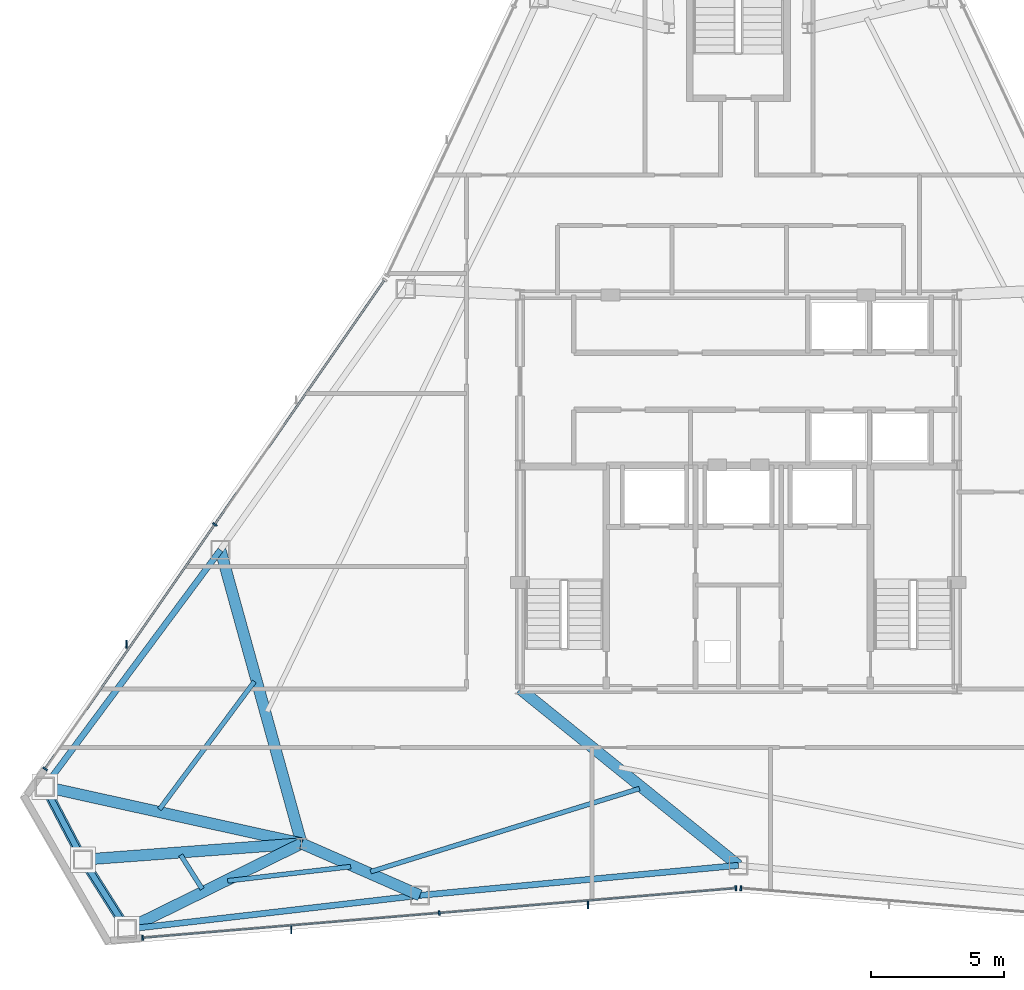
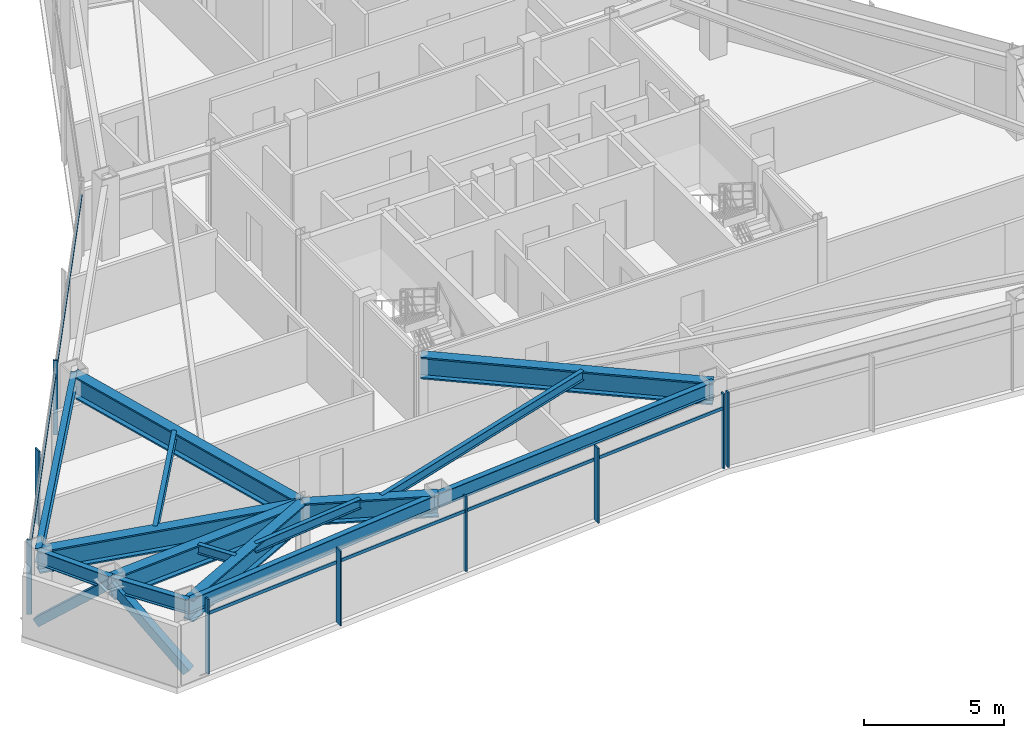
# One storey, part 3 of 12: 15 beams, 13 members, 3 elements without a shape of their own.
"""IFC4 building model written with IfcOpenShell, lengths in metres."""

import ifcopenshell
import ifcopenshell.guid

model = None  # the IFC model being written
_history = None  # IfcOwnerHistory: only IFC2X3 demands one
_inside = {}  # id of a spatial element -> (the spatial element, [elements in it])
_under = {}  # id of a project, library or spatial element -> (it, [spatial elements below it])
_declared = {}  # id of a project -> (the project, [libraries it declares])
_typed = {}  # id of a type object -> (the type object, [elements of that type])
_made_of = {}  # id of a material, layer set ... -> (it, [elements and type objects made of it])


def new_model(schema):
    """Start an empty IFC model of exactly this schema.

    Asked for "IFC4X3", IfcOpenShell would pick the latest addendum, in which some entities
    have other attributes; the version numbers below select the first issue.
    IFC2X3 requires an IfcOwnerHistory on every rooted entity: one is made here for all.
    """
    global model, _history
    if schema == "IFC4X3":
        model = ifcopenshell.file(schema_version=(4, 3, 0, 0))
    else:
        model = ifcopenshell.file(schema=schema)
    _inside.clear()
    _under.clear()
    _declared.clear()
    _typed.clear()
    _made_of.clear()
    _history = None
    if model.schema == "IFC2X3":
        org = make("IfcOrganization", Name="unknown")
        user = make(
            "IfcPersonAndOrganization",
            ThePerson=make("IfcPerson", FamilyName="unknown"),
            TheOrganization=org,
        )
        app = make(
            "IfcApplication",
            ApplicationDeveloper=org,
            Version="unknown",
            ApplicationFullName="unknown",
            ApplicationIdentifier="unknown",
        )
        _history = make(
            "IfcOwnerHistory",
            OwningUser=user,
            OwningApplication=app,
            ChangeAction="ADDED",
            CreationDate=0,
        )
    return model


def make(cls, **values):
    """One entity of the class cls with the attributes given. An attribute that is None is left unset."""
    return model.create_entity(
        cls, **{name: value for name, value in values.items() if value is not None}
    )


def rooted(cls, **values):
    """An entity with a GlobalId (a new one), such as an element, a storey or a relation."""
    return make(cls, GlobalId=ifcopenshell.guid.new(), OwnerHistory=_history, **values)


def si_unit(unit_type, name, prefix=None):
    """IfcSIUnit, for example si_unit("LENGTHUNIT", "METRE", prefix="MILLI")."""
    return make("IfcSIUnit", UnitType=unit_type, Prefix=prefix, Name=name)


def assignment(units):
    """IfcUnitAssignment: the units of a project."""
    return None if units is None else make("IfcUnitAssignment", Units=units)


def point(xyz):
    """IfcCartesianPoint."""
    return None if xyz is None else make("IfcCartesianPoint", Coordinates=xyz)


def direction(xyz):
    """IfcDirection."""
    return None if xyz is None else make("IfcDirection", DirectionRatios=xyz)


def frame(location, z_axis=None, x_axis=None):
    """IfcAxis2Placement3D, a coordinate frame: its origin and axes. An axis left out is left unset."""
    return make(
        "IfcAxis2Placement3D",
        Location=point(location),
        Axis=direction(z_axis),
        RefDirection=direction(x_axis),
    )


def frame_2d(location, x_axis=None):
    """IfcAxis2Placement2D, a coordinate frame in the plane: its origin and x axis."""
    return make(
        "IfcAxis2Placement2D", Location=point(location), RefDirection=direction(x_axis)
    )


def origin():
    """The frame at (0, 0, 0) with its axes left unset."""
    return frame((0.0, 0.0, 0.0))


def origin_2d():
    """The frame at (0, 0) in the plane with its x axis left unset."""
    return frame_2d((0.0, 0.0))


def place(relative_to, where):
    """IfcLocalPlacement: puts the frame where relative to a parent placement (None: the world)."""
    return make(
        "IfcLocalPlacement", PlacementRelTo=relative_to, RelativePlacement=where
    )


def context(
    kind, dimensions, precision=None, world=None, true_north=None, identifier=None
):
    """IfcGeometricRepresentationContext, for example the 3D "Model" context."""
    return make(
        "IfcGeometricRepresentationContext",
        ContextIdentifier=identifier,
        ContextType=kind,
        CoordinateSpaceDimension=dimensions,
        Precision=precision,
        WorldCoordinateSystem=world,
        TrueNorth=true_north,
    )


def subcontext(parent, identifier, kind, view, scale=None):
    """IfcGeometricRepresentationSubContext, for example "Body" below "Model"."""
    return make(
        "IfcGeometricRepresentationSubContext",
        ContextIdentifier=identifier,
        ContextType=kind,
        ParentContext=parent,
        TargetScale=scale,
        TargetView=view,
    )


def project(units=None, contexts=None):
    """IfcProject with its units and contexts."""
    return rooted(
        "IfcProject",
        Name="project",
        RepresentationContexts=contexts,
        UnitsInContext=assignment(units),
    )


def spatial(cls, under=None, at=None, **own):
    """A site, building, storey or space (cls), placed at a placement, below another one or the project."""
    s = rooted(cls, ObjectPlacement=at, **own)
    if under is not None:
        _under.setdefault(under.id(), (under, []))[1].append(s)
    return s


def profile(cls, at=None, kind="AREA", **sizes):
    """A parametric profile (cls). Its sizes go by their IFC names, for example OverallWidth=200.0."""
    return make(cls, ProfileType=kind, Position=at, **sizes)


def rectangle(**sizes):
    """IfcRectangleProfileDef."""
    return profile("IfcRectangleProfileDef", **sizes)


def hollow_rectangle(**sizes):
    """IfcRectangleHollowProfileDef."""
    return profile("IfcRectangleHollowProfileDef", **sizes)


def i_section(**sizes):
    """IfcIShapeProfileDef."""
    return profile("IfcIShapeProfileDef", **sizes)


def extrude(swept, where, along, depth):
    """IfcExtrudedAreaSolid: the profile swept, set in the frame where, extruded along a direction by depth."""
    return make(
        "IfcExtrudedAreaSolid",
        SweptArea=swept,
        Position=where,
        ExtrudedDirection=direction(along),
        Depth=depth,
    )


def shape(context_of_items, identifier, shape_type, items):
    """IfcShapeRepresentation: the items that make up one representation, for example the "Body"."""
    return make(
        "IfcShapeRepresentation",
        ContextOfItems=context_of_items,
        RepresentationIdentifier=identifier,
        RepresentationType=shape_type,
        Items=items,
    )


def source(mapping_origin, context_of_items, identifier, shape_type, items):
    """IfcRepresentationMap: a shape defined once, which mapped items show again and again."""
    return make(
        "IfcRepresentationMap",
        MappingOrigin=mapping_origin,
        MappedRepresentation=shape(context_of_items, identifier, shape_type, items),
    )


def transform(
    local_origin,
    x_axis=None,
    y_axis=None,
    z_axis=None,
    scale=None,
    scale2=None,
    scale3=None,
    uniform=True,
):
    """IfcCartesianTransformationOperator3D, or its non-uniform kind. x_axis, y_axis, z_axis: its Axis1, 2, 3."""
    if uniform:
        return make(
            "IfcCartesianTransformationOperator3D",
            Axis1=direction(x_axis),
            Axis2=direction(y_axis),
            LocalOrigin=point(local_origin),
            Scale=scale,
            Axis3=direction(z_axis),
        )
    return make(
        "IfcCartesianTransformationOperator3DnonUniform",
        Axis1=direction(x_axis),
        Axis2=direction(y_axis),
        LocalOrigin=point(local_origin),
        Scale=scale,
        Axis3=direction(z_axis),
        Scale2=scale2,
        Scale3=scale3,
    )


def mapped(mapping_source, mapping_target):
    """IfcMappedItem: shows the shape of a source again, moved by a transform."""
    return make(
        "IfcMappedItem", MappingSource=mapping_source, MappingTarget=mapping_target
    )


def material(Name=None, Category=None):
    """IfcMaterial."""
    return make("IfcMaterial", Name=Name, Category=Category)


def layer(
    of_material, thickness, ventilated=None, Name=None, Category=None, Priority=None
):
    """IfcMaterialLayer: one layer of a wall or slab, of a material (None: an air gap)."""
    return make(
        "IfcMaterialLayer",
        Material=of_material,
        LayerThickness=thickness,
        IsVentilated=ventilated,
        Name=Name,
        Category=Category,
        Priority=Priority,
    )


def layer_set(layers, Name=None):
    """IfcMaterialLayerSet."""
    return make("IfcMaterialLayerSet", MaterialLayers=layers, LayerSetName=Name)


def material_profile(
    of_material, cross_section, Name=None, Category=None, Priority=None
):
    """IfcMaterialProfile: a cross section and its material."""
    return make(
        "IfcMaterialProfile",
        Name=Name,
        Material=of_material,
        Profile=cross_section,
        Priority=Priority,
        Category=Category,
    )


def profile_set(profiles, Name=None, composite=None):
    """IfcMaterialProfileSet."""
    return make(
        "IfcMaterialProfileSet",
        Name=Name,
        MaterialProfiles=profiles,
        CompositeProfile=composite,
    )


def made_of(thing, what):
    """Note that an element or type object is made of a material, layer set ...; save() writes the relation."""
    if what is not None:
        _made_of.setdefault(what.id(), (what, []))[1].append(thing)
    return thing


def type_object(cls, material=None, **own):
    """A type object (cls), such as IfcWallType, which elements share."""
    return made_of(rooted(cls, **own), material)


def type_shapes(of_type, sources):
    """Give a type object the sources (RepresentationMaps) that its elements show as mapped items."""
    of_type.RepresentationMaps = sources


def element(
    cls,
    number,
    at=None,
    inside=None,
    cuts=None,
    type_object=None,
    material=None,
    context=None,
    identifier="Body",
    shape_type=None,
    held_by="IfcProductDefinitionShape",
    body=None,
    shapes=None,
    **own,
):
    """One element of the class cls, such as IfcWall. Its Tag is "e" and its number.

    at: its placement. inside: the storey or other place that contains it. cuts: it is an
    opening in that element (IfcRelVoidsElement). A single representation is given by context,
    identifier, shape_type and body (its items); several are given by shapes. held_by: the class
    of the entity that holds the representations. save() writes the other relations.
    """
    e = rooted(cls, Tag="e%d" % number, ObjectPlacement=at, **own)
    if body is not None:
        shapes = [shape(context, identifier, shape_type, body)]
    if shapes is not None:
        e.Representation = make(held_by, Representations=shapes)
    if inside is not None:
        _inside.setdefault(inside.id(), (inside, []))[1].append(e)
    if cuts is not None:
        rooted(
            "IfcRelVoidsElement", RelatingBuildingElement=cuts, RelatedOpeningElement=e
        )
    if type_object is not None:
        _typed.setdefault(type_object.id(), (type_object, []))[1].append(e)
    return made_of(e, material)


def aggregate(whole, parts):
    """IfcRelAggregates: a whole, such as a stair, and the parts it consists of."""
    return rooted("IfcRelAggregates", RelatingObject=whole, RelatedObjects=parts)


def save(model, path):
    """Write the relations noted so far, then the file.

    IfcRelAggregates (storeys below a building ...), IfcRelContainedInSpatialStructure (elements
    in a storey), IfcRelDefinesByType, IfcRelAssociatesMaterial and IfcRelDeclares: one each for
    every whole, place, type object, material and project.
    """
    for whole, parts in _under.values():
        aggregate(whole, parts)
    for where, things in _inside.values():
        rooted(
            "IfcRelContainedInSpatialStructure",
            RelatedElements=things,
            RelatingStructure=where,
        )
    for kind, things in _typed.values():
        rooted("IfcRelDefinesByType", RelatedObjects=things, RelatingType=kind)
    for what, things in _made_of.values():
        rooted("IfcRelAssociatesMaterial", RelatedObjects=things, RelatingMaterial=what)
    for by, libraries in _declared.values():
        rooted("IfcRelDeclares", RelatingContext=by, RelatedDefinitions=libraries)
    model.write(path)


model = new_model("IFC4")

# Units and contexts
model_context = context("Model", 3, precision=1e-05, world=origin(), true_north=direction((0.0, 1.0)))
body_context = subcontext(model_context, "Body", "Model", "MODEL_VIEW")
ifc_project = project(units=[si_unit("LENGTHUNIT", "METRE"), si_unit("AREAUNIT", "SQUARE_METRE"), si_unit("VOLUMEUNIT", "CUBIC_METRE"), si_unit("PLANEANGLEUNIT", "RADIAN"), si_unit("MASSUNIT", "GRAM", prefix="KILO")], contexts=[model_context])

# Site, building, storey
site_placement = place(None, origin())
site = spatial("IfcSite", under=ifc_project, at=site_placement, CompositionType="ELEMENT")
building_placement = place(site_placement, origin())
building = spatial("IfcBuilding", under=site, at=building_placement, Name="Varakhsha Concourse Tower", CompositionType="ELEMENT")
storey_placement = place(building_placement, frame((0.0, 0.0, 225.89990234375)))
storey = spatial("IfcBuildingStorey", under=building, at=storey_placement, Name="L64", CompositionType="ELEMENT", Elevation=225.89990234375)

# Beams
ifc_material_1 = material(Name="Structural Steel ASTM A992 Grade 50", Category="steel")
ifc_material_profile_1 = material_profile(ifc_material_1, i_section(OverallWidth=0.177978515625, OverallDepth=0.406982421875, WebThickness=0.008056640625, FlangeThickness=0.012939453125, at=origin_2d()), Name="W16X40")
ifc_profile_set_1 = profile_set([ifc_material_profile_1], Name="Structural Steel ASTM A992 Grade 50")
beam_type_1 = type_object("IfcBeamType", Name="BM-JST-W16X40", PredefinedType="JOIST", material=ifc_profile_set_1)
beam_1_placement = place(storey_placement, frame((21.828369140625, 16.681640625, 3.046630859375), z_axis=(-0.596164609107, -0.802862229058, 0.0), x_axis=(0.802862229058, -0.596164609107, 0.0)))
element("IfcBeam", 1, at=beam_1_placement, inside=storey, type_object=beam_type_1, Name="BM-TJST-L64-06", PredefinedType="JOIST", context=body_context, shape_type="SweptSolid", body=[
    extrude(i_section(OverallWidth=0.177978515625, OverallDepth=0.406982421875, WebThickness=0.008056640625, FlangeThickness=0.012939453125, at=origin_2d()), origin(), (0.0, 0.0, 1.0), 5.97900390625),
])
beam_2_placement = place(storey_placement, frame((19.06103515625, 10.166259765625, 3.046630859375), z_axis=(0.534909949708, -0.844909075406, 0.0), x_axis=(0.844909075406, 0.534909949708, 0.0)))
element("IfcBeam", 2, at=beam_2_placement, inside=storey, type_object=beam_type_1, Name="BM-TJST-L64-08", PredefinedType="JOIST", context=body_context, shape_type="SweptSolid", body=[
    extrude(i_section(OverallWidth=0.177978515625, OverallDepth=0.406982421875, WebThickness=0.008056640625, FlangeThickness=0.012939453125, at=origin_2d()), origin(), (0.0, 0.0, 1.0), 1.51220703125),
])
beam_3_placement = place(storey_placement, frame((20.82470703125, 9.195068359375, 3.046630859375), z_axis=(0.993381548351, 0.114861217978, 0.0), x_axis=(-0.114861217978, 0.993381548351, 0.0)))
element("IfcBeam", 3, at=beam_3_placement, inside=storey, type_object=beam_type_1, Name="BM-TJST-L64-09", PredefinedType="JOIST", context=body_context, shape_type="SweptSolid", body=[
    extrude(i_section(OverallWidth=0.177978515625, OverallDepth=0.406982421875, WebThickness=0.008056640625, FlangeThickness=0.012939453125, at=origin_2d()), origin(), (0.0, 0.0, 1.0), 4.650634765625),
])
beam_4_placement = place(storey_placement, frame((26.19189453125, 9.540283203125, 3.046630859375), z_axis=(0.955439141439, 0.295188155261, 0.0), x_axis=(-0.295188155261, 0.955439141439, 0.0)))
element("IfcBeam", 4, at=beam_4_placement, inside=storey, type_object=beam_type_1, Name="BM-TJST-L64-10", PredefinedType="JOIST", context=body_context, shape_type="SweptSolid", body=[
    extrude(i_section(OverallWidth=0.177978515625, OverallDepth=0.406982421875, WebThickness=0.008056640625, FlangeThickness=0.012939453125, at=origin_2d()), origin(), (0.0, 0.0, 1.0), 10.565673828125),
])
ifc_material_profile_2 = material_profile(ifc_material_1, i_section(OverallWidth=0.423095703125, OverallDepth=0.947998046875, WebThickness=0.0380859375, FlangeThickness=0.06396484375, at=origin_2d()), Name="W36X302")
ifc_profile_set_2 = profile_set([ifc_material_profile_2], Name="Structural Steel ASTM A992 Grade 50")
beam_type_2 = type_object("IfcBeamType", Name="BM-OUTR-W36X302", PredefinedType="USERDEFINED", material=ifc_profile_set_2)
beam_5_placement = place(storey_placement, frame((23.60009765625, 10.60009765625, 2.776123046875), z_axis=(-0.266516826979, 0.963830265626, 0.0), x_axis=(-0.963830265626, -0.266516826979, 0.0)))
element("IfcBeam", 5, at=beam_5_placement, inside=storey, type_object=beam_type_2, Name="L64 Radial Floor Girder 06", ObjectType="GIRDER", PredefinedType="USERDEFINED", context=body_context, shape_type="SweptSolid", body=[
    extrude(i_section(OverallWidth=0.423095703125, OverallDepth=0.947998046875, WebThickness=0.0380859375, FlangeThickness=0.06396484375, at=origin_2d()), origin(), (0.0, 0.0, 1.0), 11.431396484375),
])
beam_6_placement = place(storey_placement, frame((23.60009765625, 10.60009765625, 2.776123046875), z_axis=(-0.976469998414, 0.215653291644, 0.0), x_axis=(-0.215653291644, -0.976469998414, 0.0)))
element("IfcBeam", 6, at=beam_6_placement, inside=storey, type_object=beam_type_2, Name="L64 Radial Floor Girder 07", ObjectType="GIRDER", PredefinedType="USERDEFINED", context=body_context, shape_type="SweptSolid", body=[
    extrude(i_section(OverallWidth=0.423095703125, OverallDepth=0.947998046875, WebThickness=0.0380859375, FlangeThickness=0.06396484375, at=origin_2d()), origin(), (0.0, 0.0, 1.0), 9.878662109375),
])
beam_7_placement = place(storey_placement, frame((23.60009765625, 10.60009765625, 2.776123046875), z_axis=(-0.997261277547, -0.073959071819, 0.0), x_axis=(0.073959071819, -0.997261277547, 0.0)))
element("IfcBeam", 7, at=beam_7_placement, inside=storey, type_object=beam_type_2, Name="L64 Radial Floor Girder 08", ObjectType="GIRDER", PredefinedType="USERDEFINED", context=body_context, shape_type="SweptSolid", body=[
    extrude(i_section(OverallWidth=0.423095703125, OverallDepth=0.947998046875, WebThickness=0.0380859375, FlangeThickness=0.06396484375, at=origin_2d()), origin(), (0.0, 0.0, 1.0), 8.232666015625),
])
beam_8_placement = place(storey_placement, frame((23.60009765625, 10.60009765625, 2.776123046875), z_axis=(-0.897480760127, -0.441053608081, 0.0), x_axis=(0.441053608081, -0.897480760127, 0.0)))
element("IfcBeam", 8, at=beam_8_placement, inside=storey, type_object=beam_type_2, Name="L64 Radial Floor Girder 09", ObjectType="GIRDER", PredefinedType="USERDEFINED", context=body_context, shape_type="SweptSolid", body=[
    extrude(i_section(OverallWidth=0.423095703125, OverallDepth=0.947998046875, WebThickness=0.0380859375, FlangeThickness=0.06396484375, at=origin_2d()), origin(), (0.0, 0.0, 1.0), 7.30517578125),
])
beam_9_placement = place(storey_placement, frame((23.60009765625, 10.60009765625, 2.776123046875), z_axis=(0.915587981704, -0.402117703862, 0.0), x_axis=(0.402117703862, 0.915587981704, 0.0)))
element("IfcBeam", 9, at=beam_9_placement, inside=storey, type_object=beam_type_2, Name="L64 Radial Floor Girder 10", ObjectType="GIRDER", PredefinedType="USERDEFINED", context=body_context, shape_type="SweptSolid", body=[
    extrude(i_section(OverallWidth=0.423095703125, OverallDepth=0.947998046875, WebThickness=0.0380859375, FlangeThickness=0.06396484375, at=origin_2d()), origin(), (0.0, 0.0, 1.0), 4.849853515625),
])
beam_10_placement = place(storey_placement, frame((31.800048828125, 16.39990234375, 2.776123046875), z_axis=(0.777986032506, -0.628281571611, 0.0), x_axis=(0.628281571611, 0.777986032506, 0.0)))
element("IfcBeam", 10, at=beam_10_placement, inside=storey, type_object=beam_type_2, Name="L64 Radial Floor Girder 11", ObjectType="GIRDER", PredefinedType="USERDEFINED", context=body_context, shape_type="SweptSolid", body=[
    extrude(i_section(OverallWidth=0.423095703125, OverallDepth=0.947998046875, WebThickness=0.0380859375, FlangeThickness=0.06396484375, at=origin_2d()), origin(), (0.0, 0.0, 1.0), 10.5400390625),
])
ifc_material_profile_3 = material_profile(ifc_material_1, i_section(OverallWidth=0.22900390625, OverallDepth=0.612060546875, WebThickness=0.011962890625, FlangeThickness=0.02001953125, at=origin_2d()), Name="W24X84")
ifc_profile_set_3 = profile_set([ifc_material_profile_3], Name="Structural Steel ASTM A992 Grade 50")
beam_type_3 = type_object("IfcBeamType", Name="BM-SPAN-W24X84", PredefinedType="SPANDREL", material=ifc_profile_set_3)
beam_11_placement = place(storey_placement, frame((20.553466796875, 21.617919921875, 2.944091796875), z_axis=(-0.596178624109, -0.802851822042, 0.0), x_axis=(0.802851822042, -0.596178624109, 0.0)))
element("IfcBeam", 11, at=beam_11_placement, inside=storey, type_object=beam_type_3, Name="BM-SPAN-L64-06", PredefinedType="SPANDREL", context=body_context, shape_type="SweptSolid", body=[
    extrude(i_section(OverallWidth=0.22900390625, OverallDepth=0.612060546875, WebThickness=0.011962890625, FlangeThickness=0.02001953125, at=origin_2d()), origin(), (0.0, 0.0, 1.0), 11.06982421875),
])
beam_12_placement = place(storey_placement, frame((13.953857421875, 12.73046875, 2.944091796875), z_axis=(0.46430782769, -0.88567389097, 0.0), x_axis=(0.88567389097, 0.46430782769, 0.0)))
element("IfcBeam", 12, at=beam_12_placement, inside=storey, type_object=beam_type_3, Name="BM-SPAN-L64-07", PredefinedType="SPANDREL", context=body_context, shape_type="SweptSolid", body=[
    extrude(i_section(OverallWidth=0.22900390625, OverallDepth=0.612060546875, WebThickness=0.011962890625, FlangeThickness=0.02001953125, at=origin_2d()), origin(), (0.0, 0.0, 1.0), 3.0927734375),
])
beam_13_placement = place(storey_placement, frame((15.389892578125, 9.9912109375, 2.944091796875), z_axis=(0.534851104232, -0.844946327468, 0.0), x_axis=(0.844946327468, 0.534851104232, 0.0)))
element("IfcBeam", 13, at=beam_13_placement, inside=storey, type_object=beam_type_3, Name="BM-SPAN-L64-08", PredefinedType="SPANDREL", context=body_context, shape_type="SweptSolid", body=[
    extrude(i_section(OverallWidth=0.22900390625, OverallDepth=0.612060546875, WebThickness=0.011962890625, FlangeThickness=0.02001953125, at=origin_2d()), origin(), (0.0, 0.0, 1.0), 3.092529296875),
])
beam_14_placement = place(storey_placement, frame((17.0439453125, 7.378173828125, 2.944091796875), z_axis=(0.993379152974, 0.114881932593, 0.0), x_axis=(-0.114881932593, 0.993379152974, 0.0)))
element("IfcBeam", 14, at=beam_14_placement, inside=storey, type_object=beam_type_3, Name="BM-SPAN-L64-09", PredefinedType="SPANDREL", context=body_context, shape_type="SweptSolid", body=[
    extrude(i_section(OverallWidth=0.22900390625, OverallDepth=0.612060546875, WebThickness=0.011962890625, FlangeThickness=0.02001953125, at=origin_2d()), origin(), (0.0, 0.0, 1.0), 11.06982421875),
])
beam_15_placement = place(storey_placement, frame((28.04052734375, 8.64990234375, 2.944091796875), z_axis=(0.995582012356, 0.09389598859, 0.0), x_axis=(-0.09389598859, 0.995582012356, 0.0)))
element("IfcBeam", 15, at=beam_15_placement, inside=storey, type_object=beam_type_3, Name="BM-SPAN-L64-10", PredefinedType="SPANDREL", context=body_context, shape_type="SweptSolid", body=[
    extrude(i_section(OverallWidth=0.22900390625, OverallDepth=0.612060546875, WebThickness=0.011962890625, FlangeThickness=0.02001953125, at=origin_2d()), origin(), (0.0, 0.0, 1.0), 12.012451171875),
])

# Members
ifc_material_2 = material(Name="Structural Steel ASTM A500 Grade C", Category="steel")
ifc_material_profile_4 = material_profile(ifc_material_2, hollow_rectangle(XDim=0.35009765625, YDim=0.35009765625, WallThickness=0.01611328125, at=origin_2d()), Name="HSS 350x350x16")
ifc_profile_set_4 = profile_set([ifc_material_profile_4], Name="Structural Steel ASTM A500 Grade C")
member_type_1 = type_object("IfcMemberType", Name="MB-TUBE-HSS350", PredefinedType="BRACE", material=ifc_profile_set_4)
shared_shape_1 = source(origin(), body_context, "Body", "SweptSolid", [
    extrude(hollow_rectangle(XDim=0.35009765625, YDim=0.35009765625, WallThickness=0.01611328125, at=origin_2d()), origin(), (0.0, 0.0, 1.0), 4.192138671875),
])
member_1_placement = place(storey_placement, frame((17.0439453125, 7.378173828125, 0.1201171875), z_axis=(-0.394569925979, 0.623333124392, 0.675107687372), x_axis=(-0.844946327468, -0.534851104232, 0.0)))
element("IfcMember", 16, at=member_1_placement, inside=storey, type_object=member_type_1, Name="L64 Wind-Corner Tube Brace B04", PredefinedType="BRACE", context=body_context, shape_type="MappedRepresentation", body=[
    mapped(shared_shape_1, transform((0.0, 0.0, 0.0), scale=1.0)),
])
shared_shape_2 = source(origin(), body_context, "Body", "SweptSolid", [
    extrude(hollow_rectangle(XDim=0.35009765625, YDim=0.35009765625, WallThickness=0.01611328125, at=origin_2d()), origin(), (0.0, 0.0, 1.0), 4.1923828125),
])
type_shapes(member_type_1, [shared_shape_1, shared_shape_2])
member_2_placement = place(storey_placement, frame((13.953857421875, 12.73046875, 0.1201171875), z_axis=(0.342544113921, -0.653407847364, 0.675071636955), x_axis=(0.88567389097, 0.46430782769, 0.0)))
element("IfcMember", 17, at=member_2_placement, inside=storey, type_object=member_type_1, Name="L64 Wind-Corner Tube Brace B03", PredefinedType="BRACE", context=body_context, shape_type="MappedRepresentation", body=[
    mapped(shared_shape_2, transform((0.0, 0.0, 0.0), scale=1.0)),
])

# Curtain wall, members
ifc_material_3 = material(Name="Anodised Bronze Architectural Aluminium AA 6063-T6", Category="aluminium")
ifc_layer = layer(ifc_material_3, 0.199951171875, Name="CW-SYS-05")
ifc_layer_set = layer_set([ifc_layer], Name="Anodised Bronze Architectural Aluminium AA 6063-T6")
curtain_wall_type = type_object("IfcCurtainWallType", Name="CW-SYS-05", PredefinedType="NOTDEFINED", material=ifc_layer_set)
curtain_wall_1_placement = place(storey_placement, origin())
curtain_wall_1 = element("IfcCurtainWall", 18, at=curtain_wall_1_placement, inside=storey, type_object=curtain_wall_type, Name="L64 Crystal Curtain Wall F3", PredefinedType="NOTDEFINED")
ifc_material_profile_5 = material_profile(ifc_material_3, rectangle(XDim=0.06494140625, YDim=0.179931640625, at=origin_2d()), Name="CWM-180X65")
ifc_profile_set_5 = profile_set([ifc_material_profile_5], Name="Anodised Bronze Architectural Aluminium AA 6063-T6")
member_type_2 = type_object("IfcMemberType", Name="CWM-180X65", PredefinedType="MULLION", material=ifc_profile_set_5)
shared_shape_3 = source(origin(), body_context, "Body", "SweptSolid", [
    extrude(rectangle(XDim=0.06494140625, YDim=0.179931640625, at=origin_2d()), origin(), (0.0, 0.0, 1.0), 3.25),
])
type_shapes(member_type_2, [shared_shape_3])
member_3_placement = place(storey_placement, frame((13.968994140625, 13.397705078125, 0.0), z_axis=(0.0, 0.0, 1.0), x_axis=(0.570360953861, 0.821394169879, 0.0)))
member_3 = element("IfcMember", 19, at=member_3_placement, type_object=member_type_2, Name="CW-L64-F3 Mullion 00", PredefinedType="MULLION", context=body_context, shape_type="MappedRepresentation", body=[
    mapped(shared_shape_3, transform((0.0, 0.0, 0.0), scale=1.0)),
])
member_4_placement = place(storey_placement, frame((20.34423828125, 22.578857421875, 0.0), z_axis=(0.0, 0.0, 1.0), x_axis=(0.570360953861, 0.821394169879, 0.0)))
member_4 = element("IfcMember", 20, at=member_4_placement, type_object=member_type_2, Name="CW-L64-F3 Mullion 01", PredefinedType="MULLION", context=body_context, shape_type="MappedRepresentation", body=[
    mapped(shared_shape_3, transform((0.0, 0.0, 0.0), scale=1.0)),
])

curtain_wall_2_placement = place(storey_placement, origin())
curtain_wall_2 = element("IfcCurtainWall", 21, at=curtain_wall_2_placement, inside=storey, type_object=curtain_wall_type, Name="L64 Crystal Curtain Wall F5", PredefinedType="NOTDEFINED")
member_5_placement = place(storey_placement, frame((39.906982421875, 8.918701171875, 0.0), z_axis=(0.0, 0.0, 1.0), x_axis=(-0.996528985157, -0.083246511889, 0.0)))
member_5 = element("IfcMember", 22, at=member_5_placement, type_object=member_type_2, Name="CW-L64-F5 Mullion 00", PredefinedType="MULLION", context=body_context, shape_type="MappedRepresentation", body=[
    mapped(shared_shape_3, transform((0.0, 0.0, 0.0), scale=1.0)),
])
member_6_placement = place(storey_placement, frame((28.768310546875, 7.98828125, 0.0), z_axis=(0.0, 0.0, 1.0), x_axis=(-0.996528985157, -0.083246511889, 0.0)))
member_6 = element("IfcMember", 23, at=member_6_placement, type_object=member_type_2, Name="CW-L64-F5 Mullion 01", PredefinedType="MULLION", context=body_context, shape_type="MappedRepresentation", body=[
    mapped(shared_shape_3, transform((0.0, 0.0, 0.0), scale=1.0)),
])
member_7_placement = place(storey_placement, frame((17.62939453125, 7.0576171875, 0.0), z_axis=(0.0, 0.0, 1.0), x_axis=(-0.996528985157, -0.083246511889, 0.0)))
member_7 = element("IfcMember", 24, at=member_7_placement, type_object=member_type_2, Name="CW-L64-F5 Mullion 02", PredefinedType="MULLION", context=body_context, shape_type="MappedRepresentation", body=[
    mapped(shared_shape_3, transform((0.0, 0.0, 0.0), scale=1.0)),
])

# Curtain wall, member
curtain_wall_3_placement = place(storey_placement, origin())
curtain_wall_3 = element("IfcCurtainWall", 25, at=curtain_wall_3_placement, inside=storey, type_object=curtain_wall_type, Name="L64 Crystal Curtain Wall F6", PredefinedType="NOTDEFINED")
member_8_placement = place(storey_placement, frame((40.093017578125, 8.918701171875, 0.0), z_axis=(0.0, 0.0, 1.0), x_axis=(-0.996528985157, 0.083246511889, 0.0)))
member_8 = element("IfcMember", 26, at=member_8_placement, type_object=member_type_2, Name="CW-L64-F6 Mullion 02", PredefinedType="MULLION", context=body_context, shape_type="MappedRepresentation", body=[
    mapped(shared_shape_3, transform((0.0, 0.0, 0.0), scale=1.0)),
])
aggregate(curtain_wall_3, [member_8])

# Member
ifc_material_profile_6 = material_profile(ifc_material_3, rectangle(XDim=0.054931640625, YDim=0.300048828125, at=origin_2d()), Name="FIN-BRZ-300")
ifc_profile_set_6 = profile_set([ifc_material_profile_6], Name="Anodised Bronze Architectural Aluminium AA 6063-T6")
member_type_3 = type_object("IfcMemberType", Name="FIN-BRZ-300", PredefinedType="USERDEFINED", material=ifc_profile_set_6)
shared_shape_4 = source(origin(), body_context, "Body", "SweptSolid", [
    extrude(rectangle(XDim=0.054931640625, YDim=0.300048828125, at=origin_2d()), origin(), (0.0, 0.0, 1.0), 3.25),
])
type_shapes(member_type_3, [shared_shape_4])
member_9_placement = place(storey_placement, frame((17.02099609375, 18.08251953125, 0.0), z_axis=(0.0, 0.0, 1.0), x_axis=(1.0, 0.0, 0.0)))
member_9 = element("IfcMember", 27, at=member_9_placement, type_object=member_type_3, Name="L64 Anodised Bronze Solar Fin F3-1", ObjectType="SOLAR FIN", PredefinedType="USERDEFINED", context=body_context, shape_type="MappedRepresentation", body=[
    mapped(shared_shape_4, transform((0.0, 0.0, 0.0), scale=1.0)),
])

member_10_placement = place(storey_placement, frame((34.351318359375, 8.2890625, 0.0), z_axis=(0.0, 0.0, 1.0), x_axis=(1.0, 0.0, 0.0)))
member_10 = element("IfcMember", 28, at=member_10_placement, type_object=member_type_3, Name="L64 Anodised Bronze Solar Fin F5-1", ObjectType="SOLAR FIN", PredefinedType="USERDEFINED", context=body_context, shape_type="MappedRepresentation", body=[
    mapped(shared_shape_4, transform((0.0, 0.0, 0.0), scale=1.0)),
])

member_11_placement = place(storey_placement, frame((23.21240234375, 7.3583984375, 0.0), z_axis=(0.0, 0.0, 1.0), x_axis=(1.0, 0.0, 0.0)))
member_11 = element("IfcMember", 29, at=member_11_placement, type_object=member_type_3, Name="L64 Anodised Bronze Solar Fin F5-2", ObjectType="SOLAR FIN", PredefinedType="USERDEFINED", context=body_context, shape_type="MappedRepresentation", body=[
    mapped(shared_shape_4, transform((0.0, 0.0, 0.0), scale=1.0)),
])

ifc_material_profile_7 = material_profile(ifc_material_3, rectangle(XDim=0.06005859375, YDim=0.139892578125, at=origin_2d()), Name="CWT-140X60")
ifc_profile_set_7 = profile_set([ifc_material_profile_7], Name="Anodised Bronze Architectural Aluminium AA 6063-T6")
member_type_4 = type_object("IfcMemberType", Name="CWT-140X60", PredefinedType="USERDEFINED", material=ifc_profile_set_7)
shared_shape_5 = source(origin(), body_context, "Body", "SweptSolid", [
    extrude(rectangle(XDim=0.06005859375, YDim=0.139892578125, at=origin_2d()), origin(), (0.0, 0.0, 1.0), 22.35498046875),
])
member_12_placement = place(storey_placement, frame((13.968994140625, 13.397705078125, 2.60009765625), z_axis=(0.570362244302, 0.821393273819, 0.0), x_axis=(-0.821393273819, 0.570362244302, 0.0)))
member_12 = element("IfcMember", 30, at=member_12_placement, type_object=member_type_4, Name="CW-L64-F3 Transom 01", ObjectType="TRANSOM", PredefinedType="USERDEFINED", context=body_context, shape_type="MappedRepresentation", body=[
    mapped(shared_shape_5, transform((0.0, 0.0, 0.0), scale=1.0)),
])

aggregate(curtain_wall_1, [member_3, member_4, member_12, member_9])

shared_shape_6 = source(origin(), body_context, "Body", "SweptSolid", [
    extrude(rectangle(XDim=0.06005859375, YDim=0.139892578125, at=origin_2d()), origin(), (0.0, 0.0, 1.0), 22.355224609375),
])
type_shapes(member_type_4, [shared_shape_5, shared_shape_6])
member_13_placement = place(storey_placement, frame((39.906982421875, 8.918701171875, 2.60009765625), z_axis=(-0.996528640141, -0.083250641912, 0.0), x_axis=(0.083250641912, -0.996528640141, 0.0)))
member_13 = element("IfcMember", 31, at=member_13_placement, type_object=member_type_4, Name="CW-L64-F5 Transom 01", ObjectType="TRANSOM", PredefinedType="USERDEFINED", context=body_context, shape_type="MappedRepresentation", body=[
    mapped(shared_shape_6, transform((0.0, 0.0, 0.0), scale=1.0)),
])

aggregate(curtain_wall_2, [member_5, member_6, member_7, member_13, member_10, member_11])

save(model, "model.ifc")
